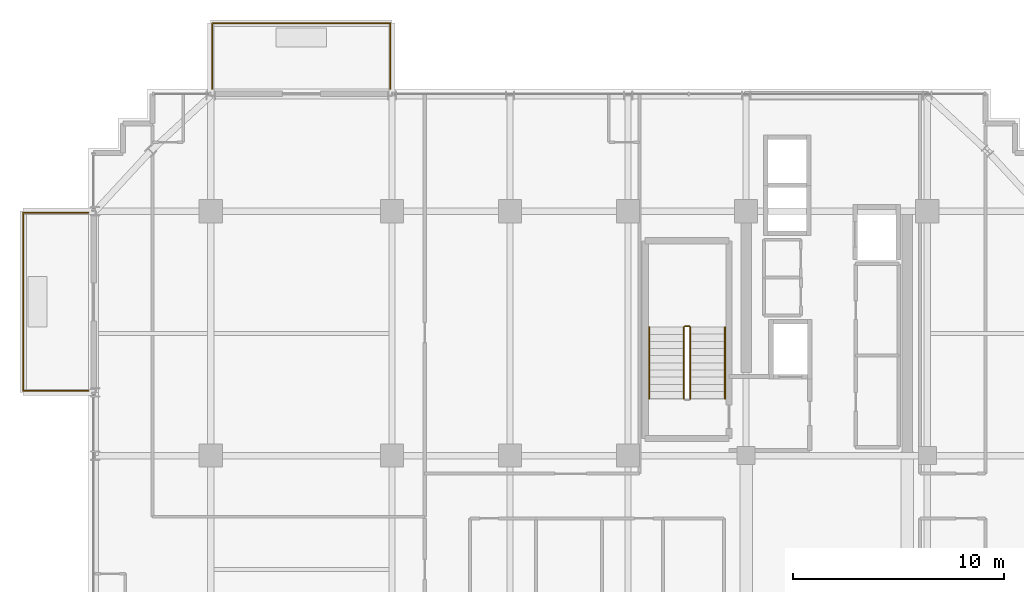
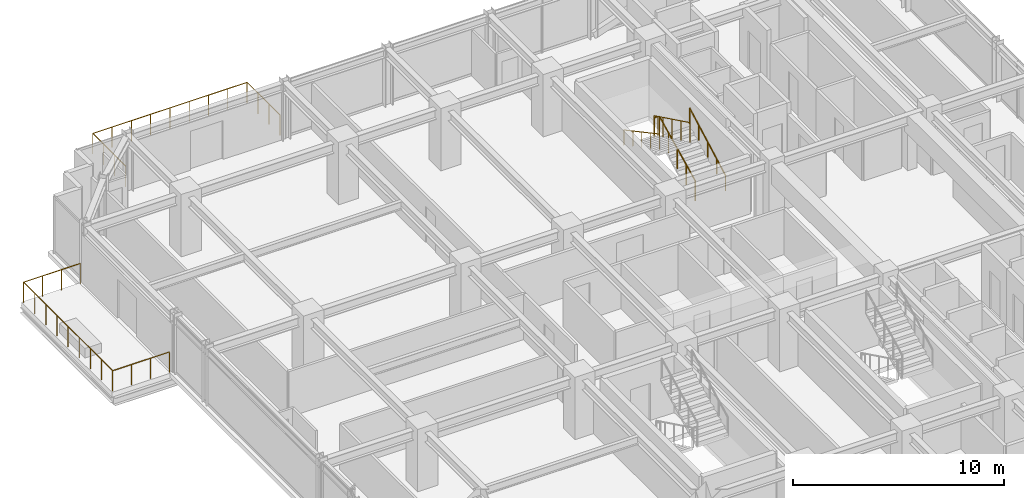
# One storey, part 31 of 32: 7 railings.
"""IFC4 building model written with IfcOpenShell, lengths in metres."""

from ifc_helpers import new_model, si_unit, direction, frame, origin, origin_2d, place, context, subcontext, project, spatial, circle, extrude, material, type_object, element, save


model = new_model("IFC4")

# Units and contexts
model_context = context("Model", 3, precision=1e-05, world=origin(), true_north=direction((0.0, 1.0)))
body_context = subcontext(model_context, "Body", "Model", "MODEL_VIEW")
ifc_project = project(units=[si_unit("LENGTHUNIT", "METRE"), si_unit("AREAUNIT", "SQUARE_METRE"), si_unit("VOLUMEUNIT", "CUBIC_METRE"), si_unit("PLANEANGLEUNIT", "RADIAN"), si_unit("MASSUNIT", "GRAM", prefix="KILO")], contexts=[model_context])

# Site, building, storey
site_placement = place(None, origin())
site = spatial("IfcSite", under=ifc_project, at=site_placement, CompositionType="ELEMENT")
building_placement = place(site_placement, origin())
building = spatial("IfcBuilding", under=site, at=building_placement, Name="Nahalor Promenade Grand Hotel", CompositionType="ELEMENT")
storey_placement = place(building_placement, frame((0.0, 0.0, 196.449951171875)))
storey = spatial("IfcBuildingStorey", under=building, at=storey_placement, Name="L50", CompositionType="ELEMENT", Elevation=196.449951171875)

# Railings
ifc_material_1 = material(Name="Anodised Bronze Aluminium EN AW-6063 T6", Category="aluminium")
railing_type_1 = type_object("IfcRailingType", Name="Bronze Balcony Guardrail 1200 mm", PredefinedType="GUARDRAIL", material=ifc_material_1)
railing_1_placement = place(storey_placement, frame((-16.919921875, 22.800048828125, 0.0)))
element("IfcRailing", 1, at=railing_1_placement, inside=storey, type_object=railing_type_1, Name="L50 Balcony Guardrail 1", PredefinedType="GUARDRAIL", context=body_context, shape_type="SweptSolid", body=[
    extrude(circle(Radius=0.024048, at=origin_2d()), frame((0.0, 0.0, 1.17578125), z_axis=(0.0, 1.0, 0.0), x_axis=(-1.0, 0.0, 0.0)), (0.0, 0.0, 1.0), 3.117919921875),
    extrude(circle(Radius=0.024048, at=origin_2d()), frame((0.001953125, 3.119873046875, 1.17578125), z_axis=(1.0, 0.0, 0.0), x_axis=(0.0, 1.0, 0.0)), (0.0, 0.0, 1.0), 8.43603515625),
    extrude(circle(Radius=0.024048, at=origin_2d()), frame((8.43994140625, 3.117919921875, 1.17578125), z_axis=(0.0, -1.0, 0.0), x_axis=(1.0, 0.0, 0.0)), (0.0, 0.0, 1.0), 3.117919921875),
    extrude(circle(Radius=0.020996, at=origin_2d()), origin(), (0.0, 0.0, 1.0), 1.14990234375),
    extrude(circle(Radius=0.020996, at=origin_2d()), frame((0.0, 1.0400390625, 0.0)), (0.0, 0.0, 1.0), 1.14990234375),
    extrude(circle(Radius=0.020996, at=origin_2d()), frame((0.0, 2.079833984375, 0.0)), (0.0, 0.0, 1.0), 1.14990234375),
    extrude(circle(Radius=0.020996, at=origin_2d()), frame((0.0, 3.119873046875, 0.0)), (0.0, 0.0, 1.0), 1.14990234375),
    extrude(circle(Radius=0.020996, at=origin_2d()), frame((1.054931640625, 3.119873046875, 0.0)), (0.0, 0.0, 1.0), 1.14990234375),
    extrude(circle(Radius=0.020996, at=origin_2d()), frame((2.10986328125, 3.119873046875, 0.0)), (0.0, 0.0, 1.0), 1.14990234375),
    extrude(circle(Radius=0.020996, at=origin_2d()), frame((3.1650390625, 3.119873046875, 0.0)), (0.0, 0.0, 1.0), 1.14990234375),
    extrude(circle(Radius=0.020996, at=origin_2d()), frame((4.219970703125, 3.119873046875, 0.0)), (0.0, 0.0, 1.0), 1.14990234375),
    extrude(circle(Radius=0.020996, at=origin_2d()), frame((5.27490234375, 3.119873046875, 0.0)), (0.0, 0.0, 1.0), 1.14990234375),
    extrude(circle(Radius=0.020996, at=origin_2d()), frame((6.330078125, 3.119873046875, 0.0)), (0.0, 0.0, 1.0), 1.14990234375),
    extrude(circle(Radius=0.020996, at=origin_2d()), frame((7.385009765625, 3.119873046875, 0.0)), (0.0, 0.0, 1.0), 1.14990234375),
    extrude(circle(Radius=0.020996, at=origin_2d()), frame((8.43994140625, 3.119873046875, 0.0)), (0.0, 0.0, 1.0), 1.14990234375),
    extrude(circle(Radius=0.020996, at=origin_2d()), frame((8.43994140625, 2.079833984375, 0.0)), (0.0, 0.0, 1.0), 1.14990234375),
    extrude(circle(Radius=0.020996, at=origin_2d()), frame((8.43994140625, 1.0400390625, 0.0)), (0.0, 0.0, 1.0), 1.14990234375),
    extrude(circle(Radius=0.020996, at=origin_2d()), frame((8.43994140625, 0.0, 0.0)), (0.0, 0.0, 1.0), 1.14990234375),
])
railing_2_placement = place(storey_placement, frame((-22.800048828125, 8.47998046875, 0.0)))
element("IfcRailing", 2, at=railing_2_placement, inside=storey, type_object=railing_type_1, Name="L50 Balcony Guardrail 2", PredefinedType="GUARDRAIL", context=body_context, shape_type="SweptSolid", body=[
    extrude(circle(Radius=0.024048, at=origin_2d()), frame((0.0, 0.0, 1.17578125), z_axis=(-1.0, 0.0, 0.0), x_axis=(0.0, -1.0, 0.0)), (0.0, 0.0, 1.0), 3.097900390625),
    extrude(circle(Radius=0.024048, at=origin_2d()), frame((-3.099853515625, 0.001953125, 1.17578125), z_axis=(0.0, 1.0, 0.0), x_axis=(-1.0, 0.0, 0.0)), (0.0, 0.0, 1.0), 8.43603515625),
    extrude(circle(Radius=0.024048, at=origin_2d()), frame((-3.097900390625, 8.43994140625, 1.17578125), z_axis=(1.0, 0.0, 0.0), x_axis=(0.0, 1.0, 0.0)), (0.0, 0.0, 1.0), 3.097900390625),
    extrude(circle(Radius=0.020996, at=origin_2d()), origin(), (0.0, 0.0, 1.0), 1.14990234375),
    extrude(circle(Radius=0.020996, at=origin_2d()), frame((-1.033203125, 0.0, 0.0)), (0.0, 0.0, 1.0), 1.14990234375),
    extrude(circle(Radius=0.020996, at=origin_2d()), frame((-2.066650390625, 0.0, 0.0)), (0.0, 0.0, 1.0), 1.14990234375),
    extrude(circle(Radius=0.020996, at=origin_2d()), frame((-3.099853515625, 0.0, 0.0)), (0.0, 0.0, 1.0), 1.14990234375),
    extrude(circle(Radius=0.020996, at=origin_2d()), frame((-3.099853515625, 1.054931640625, 0.0)), (0.0, 0.0, 1.0), 1.14990234375),
    extrude(circle(Radius=0.020996, at=origin_2d()), frame((-3.099853515625, 2.10986328125, 0.0)), (0.0, 0.0, 1.0), 1.14990234375),
    extrude(circle(Radius=0.020996, at=origin_2d()), frame((-3.099853515625, 3.1650390625, 0.0)), (0.0, 0.0, 1.0), 1.14990234375),
    extrude(circle(Radius=0.020996, at=origin_2d()), frame((-3.099853515625, 4.219970703125, 0.0)), (0.0, 0.0, 1.0), 1.14990234375),
    extrude(circle(Radius=0.020996, at=origin_2d()), frame((-3.099853515625, 5.27490234375, 0.0)), (0.0, 0.0, 1.0), 1.14990234375),
    extrude(circle(Radius=0.020996, at=origin_2d()), frame((-3.099853515625, 6.330078125, 0.0)), (0.0, 0.0, 1.0), 1.14990234375),
    extrude(circle(Radius=0.020996, at=origin_2d()), frame((-3.099853515625, 7.385009765625, 0.0)), (0.0, 0.0, 1.0), 1.14990234375),
    extrude(circle(Radius=0.020996, at=origin_2d()), frame((-3.099853515625, 8.43994140625, 0.0)), (0.0, 0.0, 1.0), 1.14990234375),
    extrude(circle(Radius=0.020996, at=origin_2d()), frame((-2.066650390625, 8.43994140625, 0.0)), (0.0, 0.0, 1.0), 1.14990234375),
    extrude(circle(Radius=0.020996, at=origin_2d()), frame((-1.033203125, 8.43994140625, 0.0)), (0.0, 0.0, 1.0), 1.14990234375),
    extrude(circle(Radius=0.020996, at=origin_2d()), frame((0.0, 8.43994140625, 0.0)), (0.0, 0.0, 1.0), 1.14990234375),
])
ifc_material_2 = material(Name="Steel S355JR", Category="steel")
railing_type_2 = type_object("IfcRailingType", Name="Steel Stair Guardrail 1150 mm", PredefinedType="GUARDRAIL", material=ifc_material_2)
railing_3_placement = place(storey_placement, frame((5.75, 8.10009765625, 0.166015625)))
element("IfcRailing", 3, at=railing_3_placement, inside=storey, type_object=railing_type_2, Name="L50 ST1 stair guard 1", PredefinedType="GUARDRAIL", context=body_context, shape_type="SweptSolid", body=[
    extrude(circle(Radius=0.024048, at=origin_2d()), frame((0.0, 0.0, 1.1259765625), z_axis=(0.0, 0.898721922897, 0.438518990814), x_axis=(-1.0, 0.0, 0.0)), (0.0, 0.0, 1.0), 3.782958984375),
    extrude(circle(Radius=0.020996, at=origin_2d()), origin(), (0.0, 0.0, 1.0), 1.099853515625),
    extrude(circle(Radius=0.020996, at=origin_2d()), frame((0.0, 0.85009765625, 0.414794921875)), (0.0, 0.0, 1.0), 1.099853515625),
    extrude(circle(Radius=0.020996, at=origin_2d()), frame((0.0, 1.699951171875, 0.82958984375)), (0.0, 0.0, 1.0), 1.099853515625),
    extrude(circle(Radius=0.020996, at=origin_2d()), frame((0.0, 2.5498046875, 1.244140625)), (0.0, 0.0, 1.0), 1.099853515625),
    extrude(circle(Radius=0.020996, at=origin_2d()), frame((0.0, 3.39990234375, 1.658935546875)), (0.0, 0.0, 1.0), 1.099853515625),
])
railing_4_placement = place(storey_placement, frame((5.699951171875, 11.550048828125, 1.824951171875)))
element("IfcRailing", 4, at=railing_4_placement, inside=storey, type_object=railing_type_2, Name="L50 ST1 stair guard 2", PredefinedType="GUARDRAIL", context=body_context, shape_type="SweptSolid", body=[
    extrude(circle(Radius=0.024048, at=origin_2d()), frame((0.0, 0.0, 1.1259765625), z_axis=(-1.0, 0.0, 0.0), x_axis=(0.0, -1.0, 0.0)), (0.0, 0.0, 1.0), 0.199951171875),
    extrude(circle(Radius=0.020996, at=origin_2d()), origin(), (0.0, 0.0, 1.0), 1.099853515625),
    extrude(circle(Radius=0.020996, at=origin_2d()), frame((-0.199951171875, 0.0, 0.0)), (0.0, 0.0, 1.0), 1.099853515625),
])
railing_5_placement = place(storey_placement, frame((5.449951171875, 11.5, 1.990966796875)))
element("IfcRailing", 5, at=railing_5_placement, inside=storey, type_object=railing_type_2, Name="L50 ST1 stair guard 3", PredefinedType="GUARDRAIL", context=body_context, shape_type="SweptSolid", body=[
    extrude(circle(Radius=0.024048, at=origin_2d()), frame((0.0, 0.0, 1.1259765625), z_axis=(0.0, -0.898696488221, 0.438571114028), x_axis=(1.0, 0.0, 0.0)), (0.0, 0.0, 1.0), 3.783203125),
    extrude(circle(Radius=0.020996, at=origin_2d()), origin(), (0.0, 0.0, 1.0), 1.099853515625),
    extrude(circle(Radius=0.020996, at=origin_2d()), frame((0.0, -0.85009765625, 0.414794921875)), (0.0, 0.0, 1.0), 1.099853515625),
    extrude(circle(Radius=0.020996, at=origin_2d()), frame((0.0, -1.699951171875, 0.82958984375)), (0.0, 0.0, 1.0), 1.099853515625),
    extrude(circle(Radius=0.020996, at=origin_2d()), frame((0.0, -2.5498046875, 1.244384765625)), (0.0, 0.0, 1.0), 1.099853515625),
    extrude(circle(Radius=0.020996, at=origin_2d()), frame((0.0, -3.39990234375, 1.6591796875)), (0.0, 0.0, 1.0), 1.099853515625),
])
railing_type_3 = type_object("IfcRailingType", Name="Steel Stair Handrail 900 mm", PredefinedType="HANDRAIL", material=ifc_material_2)
railing_6_placement = place(storey_placement, frame((7.39990234375, 8.10009765625, 0.166015625)))
element("IfcRailing", 6, at=railing_6_placement, inside=storey, type_object=railing_type_3, Name="L50 ST1 stair handrail 1", PredefinedType="HANDRAIL", context=body_context, shape_type="SweptSolid", body=[
    extrude(circle(Radius=0.024048, at=origin_2d()), frame((0.0, 0.0, 0.8759765625), z_axis=(0.0, 0.881094038095, 0.47294111265), x_axis=(-1.0, 0.0, 0.0)), (0.0, 0.0, 1.0), 3.858642578125),
    extrude(circle(Radius=0.020996, at=origin_2d()), origin(), (0.0, 0.0, 1.0), 0.849853515625),
    extrude(circle(Radius=0.020996, at=origin_2d()), frame((0.0, 0.85009765625, 0.456298828125)), (0.0, 0.0, 1.0), 0.849853515625),
    extrude(circle(Radius=0.020996, at=origin_2d()), frame((0.0, 1.699951171875, 0.91259765625)), (0.0, 0.0, 1.0), 0.849853515625),
    extrude(circle(Radius=0.020996, at=origin_2d()), frame((0.0, 2.5498046875, 1.36865234375)), (0.0, 0.0, 1.0), 0.849853515625),
    extrude(circle(Radius=0.020996, at=origin_2d()), frame((0.0, 3.39990234375, 1.824951171875)), (0.0, 0.0, 1.0), 0.849853515625),
])
railing_7_placement = place(storey_placement, frame((3.800048828125, 11.5, 1.990966796875)))
element("IfcRailing", 7, at=railing_7_placement, inside=storey, type_object=railing_type_3, Name="L50 ST1 stair handrail 2", PredefinedType="HANDRAIL", context=body_context, shape_type="SweptSolid", body=[
    extrude(circle(Radius=0.024048, at=origin_2d()), frame((0.0, 0.0, 0.8759765625), z_axis=(0.0, -0.881094038095, 0.47294111265), x_axis=(1.0, 0.0, 0.0)), (0.0, 0.0, 1.0), 3.858642578125),
    extrude(circle(Radius=0.020996, at=origin_2d()), origin(), (0.0, 0.0, 1.0), 0.849853515625),
    extrude(circle(Radius=0.020996, at=origin_2d()), frame((0.0, -0.85009765625, 0.456298828125)), (0.0, 0.0, 1.0), 0.849853515625),
    extrude(circle(Radius=0.020996, at=origin_2d()), frame((0.0, -1.699951171875, 0.91259765625)), (0.0, 0.0, 1.0), 0.849853515625),
    extrude(circle(Radius=0.020996, at=origin_2d()), frame((0.0, -2.5498046875, 1.36865234375)), (0.0, 0.0, 1.0), 0.849853515625),
    extrude(circle(Radius=0.020996, at=origin_2d()), frame((0.0, -3.39990234375, 1.824951171875)), (0.0, 0.0, 1.0), 0.849853515625),
])

save(model, "model.ifc")
